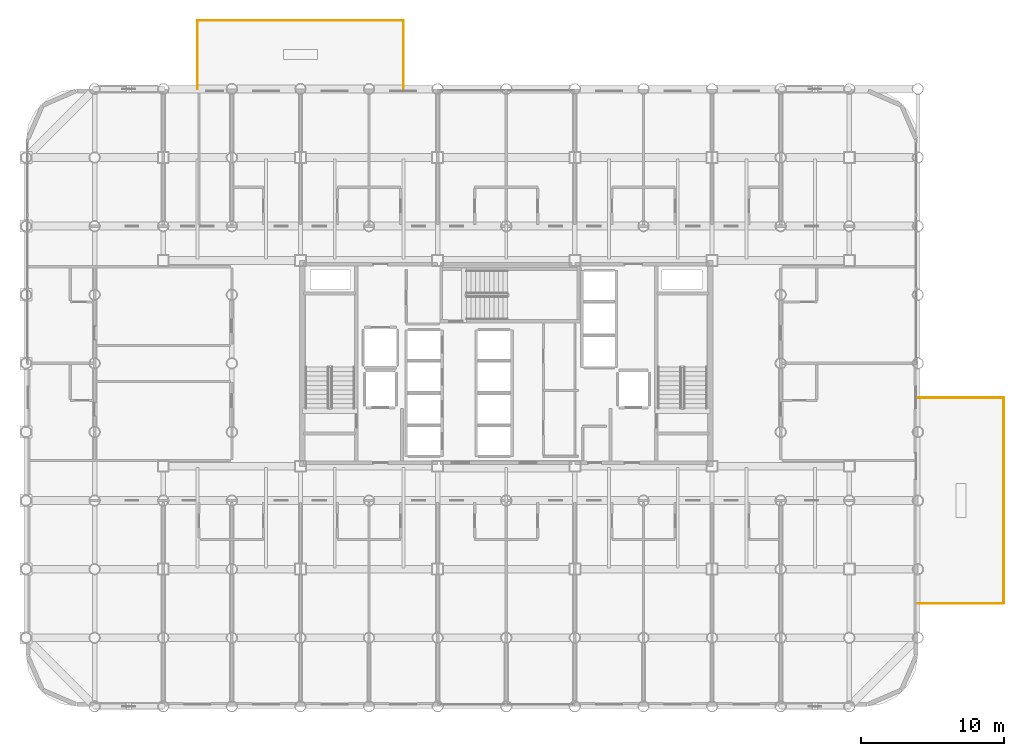
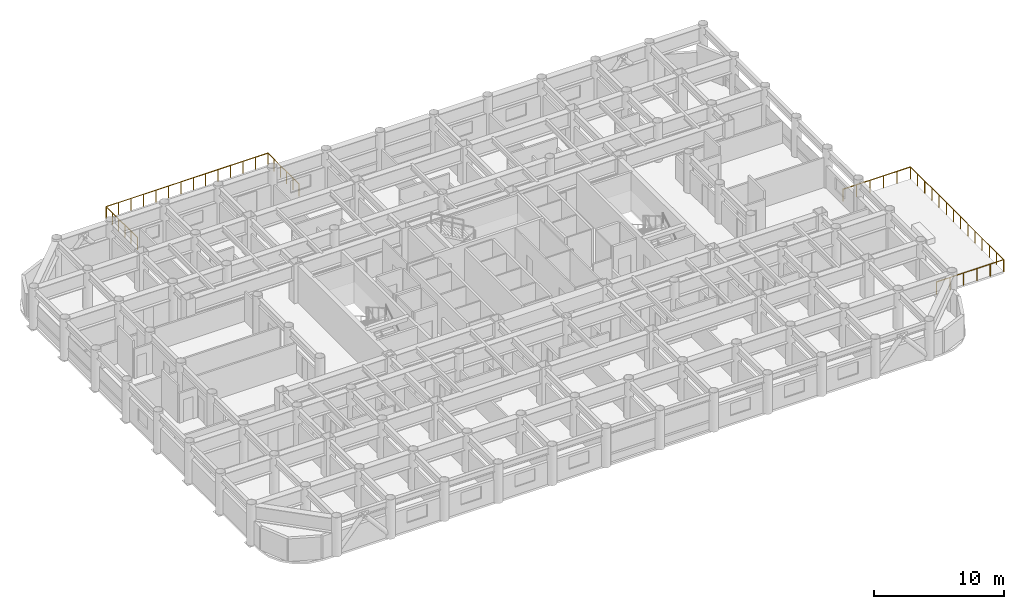
# One storey, part 24 of 24: 6 railings.
"""IFC4 building model written with IfcOpenShell, lengths in metres."""

from ifc_helpers import new_model, si_unit, direction, frame, origin, origin_2d, place, context, subcontext, project, spatial, circle, extrude, material, layer, layer_set, type_object, element, save


model = new_model("IFC4")

# Units and contexts
model_context = context("Model", 3, precision=1e-05, world=origin(), true_north=direction((0.0, 1.0)))
body_context = subcontext(model_context, "Body", "Model", "MODEL_VIEW")
ifc_project = project(units=[si_unit("LENGTHUNIT", "METRE"), si_unit("AREAUNIT", "SQUARE_METRE"), si_unit("VOLUMEUNIT", "CUBIC_METRE"), si_unit("PLANEANGLEUNIT", "RADIAN"), si_unit("MASSUNIT", "GRAM", prefix="KILO")], contexts=[model_context])

# Site, building, storey
site_placement = place(None, origin())
site = spatial("IfcSite", under=ifc_project, at=site_placement, CompositionType="ELEMENT")
building_placement = place(site_placement, origin())
building = spatial("IfcBuilding", under=site, at=building_placement, Name="Kallvorn Hotel Tower", CompositionType="ELEMENT")
storey_placement = place(building_placement, frame((0.0, 0.0, 30.0)))
storey = spatial("IfcBuildingStorey", under=building, at=storey_placement, Name="L05", CompositionType="ELEMENT", Elevation=30.0)

# Railings
ifc_material = material(Name="Galvanised painted steel S275JR balustrade", Category="steel")
ifc_layer = layer(ifc_material, 0.06005859375)
ifc_layer_set = layer_set([ifc_layer], Name="RL_BALUSTRADE_1150")
railing_type = type_object("IfcRailingType", Name="RL_BALUSTRADE_1150", PredefinedType="BALUSTRADE", material=ifc_layer_set)
railing_1_placement = place(storey_placement, frame((28.800048828125, -16.800048828125, 0.0)))
element("IfcRailing", 1, at=railing_1_placement, inside=storey, type_object=railing_type, Name="L05 Exterior Safety Guardrail TER-L05-E-01", PredefinedType="BALUSTRADE", context=body_context, shape_type="SweptSolid", body=[
    extrude(circle(Radius=0.02392578125, at=origin_2d()), frame((0.0, 0.0, 1.1259765625), z_axis=(1.0, 0.0, 0.0), x_axis=(0.0, 1.0, 0.0)), (0.0, 0.0, 1.0), 6.0),
    extrude(circle(Radius=0.02099609375, at=origin_2d()), origin(), (0.0, 0.0, 1.0), 1.101806640625),
    extrude(circle(Radius=0.02099609375, at=origin_2d()), frame((1.199951171875, 0.0, 0.0)), (0.0, 0.0, 1.0), 1.101806640625),
    extrude(circle(Radius=0.02099609375, at=origin_2d()), frame((2.39990234375, 0.0, 0.0)), (0.0, 0.0, 1.0), 1.101806640625),
    extrude(circle(Radius=0.02099609375, at=origin_2d()), frame((3.60009765625, 0.0, 0.0)), (0.0, 0.0, 1.0), 1.101806640625),
    extrude(circle(Radius=0.02099609375, at=origin_2d()), frame((4.800048828125, 0.0, 0.0)), (0.0, 0.0, 1.0), 1.101806640625),
    extrude(circle(Radius=0.02099609375, at=origin_2d()), frame((6.0, 0.0, 0.0)), (0.0, 0.0, 1.0), 1.101806640625),
])
railing_2_placement = place(storey_placement, frame((34.800048828125, -16.800048828125, 0.0)))
element("IfcRailing", 2, at=railing_2_placement, inside=storey, type_object=railing_type, Name="L05 Exterior Safety Guardrail TER-L05-E-02", PredefinedType="BALUSTRADE", context=body_context, shape_type="SweptSolid", body=[
    extrude(circle(Radius=0.02392578125, at=origin_2d()), frame((0.0, 0.0, 1.1259765625), z_axis=(0.0, 1.0, 0.0), x_axis=(-1.0, 0.0, 0.0)), (0.0, 0.0, 1.0), 14.400146484375),
    extrude(circle(Radius=0.02099609375, at=origin_2d()), origin(), (0.0, 0.0, 1.0), 1.101806640625),
    extrude(circle(Radius=0.02099609375, at=origin_2d()), frame((0.0, 1.107666015625, 0.0)), (0.0, 0.0, 1.0), 1.101806640625),
    extrude(circle(Radius=0.02099609375, at=origin_2d()), frame((0.0, 2.21533203125, 0.0)), (0.0, 0.0, 1.0), 1.101806640625),
    extrude(circle(Radius=0.02099609375, at=origin_2d()), frame((0.0, 3.322998046875, 0.0)), (0.0, 0.0, 1.0), 1.101806640625),
    extrude(circle(Radius=0.02099609375, at=origin_2d()), frame((0.0, 4.430908203125, 0.0)), (0.0, 0.0, 1.0), 1.101806640625),
    extrude(circle(Radius=0.02099609375, at=origin_2d()), frame((0.0, 5.53857421875, 0.0)), (0.0, 0.0, 1.0), 1.101806640625),
    extrude(circle(Radius=0.02099609375, at=origin_2d()), frame((0.0, 6.646240234375, 0.0)), (0.0, 0.0, 1.0), 1.101806640625),
    extrude(circle(Radius=0.02099609375, at=origin_2d()), frame((0.0, 7.75390625, 0.0)), (0.0, 0.0, 1.0), 1.101806640625),
    extrude(circle(Radius=0.02099609375, at=origin_2d()), frame((0.0, 8.861572265625, 0.0)), (0.0, 0.0, 1.0), 1.101806640625),
    extrude(circle(Radius=0.02099609375, at=origin_2d()), frame((0.0, 9.96923828125, 0.0)), (0.0, 0.0, 1.0), 1.101806640625),
    extrude(circle(Radius=0.02099609375, at=origin_2d()), frame((0.0, 11.0771484375, 0.0)), (0.0, 0.0, 1.0), 1.101806640625),
    extrude(circle(Radius=0.02099609375, at=origin_2d()), frame((0.0, 12.184814453125, 0.0)), (0.0, 0.0, 1.0), 1.101806640625),
    extrude(circle(Radius=0.02099609375, at=origin_2d()), frame((0.0, 13.29248046875, 0.0)), (0.0, 0.0, 1.0), 1.101806640625),
    extrude(circle(Radius=0.02099609375, at=origin_2d()), frame((0.0, 14.400146484375, 0.0)), (0.0, 0.0, 1.0), 1.101806640625),
])
railing_3_placement = place(storey_placement, frame((34.800048828125, -2.39990234375, 0.0)))
element("IfcRailing", 3, at=railing_3_placement, inside=storey, type_object=railing_type, Name="L05 Exterior Safety Guardrail TER-L05-E-03", PredefinedType="BALUSTRADE", context=body_context, shape_type="SweptSolid", body=[
    extrude(circle(Radius=0.02392578125, at=origin_2d()), frame((0.0, 0.0, 1.1259765625), z_axis=(-1.0, 0.0, 0.0), x_axis=(0.0, -1.0, 0.0)), (0.0, 0.0, 1.0), 6.0),
    extrude(circle(Radius=0.02099609375, at=origin_2d()), origin(), (0.0, 0.0, 1.0), 1.101806640625),
    extrude(circle(Radius=0.02099609375, at=origin_2d()), frame((-1.199951171875, 0.0, 0.0)), (0.0, 0.0, 1.0), 1.101806640625),
    extrude(circle(Radius=0.02099609375, at=origin_2d()), frame((-2.39990234375, 0.0, 0.0)), (0.0, 0.0, 1.0), 1.101806640625),
    extrude(circle(Radius=0.02099609375, at=origin_2d()), frame((-3.60009765625, 0.0, 0.0)), (0.0, 0.0, 1.0), 1.101806640625),
    extrude(circle(Radius=0.02099609375, at=origin_2d()), frame((-4.800048828125, 0.0, 0.0)), (0.0, 0.0, 1.0), 1.101806640625),
    extrude(circle(Radius=0.02099609375, at=origin_2d()), frame((-6.0, 0.0, 0.0)), (0.0, 0.0, 1.0), 1.101806640625),
])
railing_4_placement = place(storey_placement, frame((-21.60009765625, 19.199951171875, 0.0)))
element("IfcRailing", 4, at=railing_4_placement, inside=storey, type_object=railing_type, Name="L05 Exterior Safety Guardrail TER-L05-N-01", PredefinedType="BALUSTRADE", context=body_context, shape_type="SweptSolid", body=[
    extrude(circle(Radius=0.02392578125, at=origin_2d()), frame((0.0, 0.0, 1.1259765625), z_axis=(0.0, 1.0, 0.0), x_axis=(-1.0, 0.0, 0.0)), (0.0, 0.0, 1.0), 4.800048828125),
    extrude(circle(Radius=0.02099609375, at=origin_2d()), origin(), (0.0, 0.0, 1.0), 1.101806640625),
    extrude(circle(Radius=0.02099609375, at=origin_2d()), frame((0.0, 0.9599609375, 0.0)), (0.0, 0.0, 1.0), 1.101806640625),
    extrude(circle(Radius=0.02099609375, at=origin_2d()), frame((0.0, 1.919921875, 0.0)), (0.0, 0.0, 1.0), 1.101806640625),
    extrude(circle(Radius=0.02099609375, at=origin_2d()), frame((0.0, 2.880126953125, 0.0)), (0.0, 0.0, 1.0), 1.101806640625),
    extrude(circle(Radius=0.02099609375, at=origin_2d()), frame((0.0, 3.840087890625, 0.0)), (0.0, 0.0, 1.0), 1.101806640625),
    extrude(circle(Radius=0.02099609375, at=origin_2d()), frame((0.0, 4.800048828125, 0.0)), (0.0, 0.0, 1.0), 1.101806640625),
])
railing_5_placement = place(storey_placement, frame((-21.60009765625, 24.0, 0.0)))
element("IfcRailing", 5, at=railing_5_placement, inside=storey, type_object=railing_type, Name="L05 Exterior Safety Guardrail TER-L05-N-02", PredefinedType="BALUSTRADE", context=body_context, shape_type="SweptSolid", body=[
    extrude(circle(Radius=0.02392578125, at=origin_2d()), frame((0.0, 0.0, 1.1259765625), z_axis=(1.0, 0.0, 0.0), x_axis=(0.0, 1.0, 0.0)), (0.0, 0.0, 1.0), 14.400146484375),
    extrude(circle(Radius=0.02099609375, at=origin_2d()), origin(), (0.0, 0.0, 1.0), 1.101806640625),
    extrude(circle(Radius=0.02099609375, at=origin_2d()), frame((1.107666015625, 0.0, 0.0)), (0.0, 0.0, 1.0), 1.101806640625),
    extrude(circle(Radius=0.02099609375, at=origin_2d()), frame((2.21533203125, 0.0, 0.0)), (0.0, 0.0, 1.0), 1.101806640625),
    extrude(circle(Radius=0.02099609375, at=origin_2d()), frame((3.322998046875, 0.0, 0.0)), (0.0, 0.0, 1.0), 1.101806640625),
    extrude(circle(Radius=0.02099609375, at=origin_2d()), frame((4.430908203125, 0.0, 0.0)), (0.0, 0.0, 1.0), 1.101806640625),
    extrude(circle(Radius=0.02099609375, at=origin_2d()), frame((5.53857421875, 0.0, 0.0)), (0.0, 0.0, 1.0), 1.101806640625),
    extrude(circle(Radius=0.02099609375, at=origin_2d()), frame((6.646240234375, 0.0, 0.0)), (0.0, 0.0, 1.0), 1.101806640625),
    extrude(circle(Radius=0.02099609375, at=origin_2d()), frame((7.75390625, 0.0, 0.0)), (0.0, 0.0, 1.0), 1.101806640625),
    extrude(circle(Radius=0.02099609375, at=origin_2d()), frame((8.861572265625, 0.0, 0.0)), (0.0, 0.0, 1.0), 1.101806640625),
    extrude(circle(Radius=0.02099609375, at=origin_2d()), frame((9.96923828125, 0.0, 0.0)), (0.0, 0.0, 1.0), 1.101806640625),
    extrude(circle(Radius=0.02099609375, at=origin_2d()), frame((11.0771484375, 0.0, 0.0)), (0.0, 0.0, 1.0), 1.101806640625),
    extrude(circle(Radius=0.02099609375, at=origin_2d()), frame((12.184814453125, 0.0, 0.0)), (0.0, 0.0, 1.0), 1.101806640625),
    extrude(circle(Radius=0.02099609375, at=origin_2d()), frame((13.29248046875, 0.0, 0.0)), (0.0, 0.0, 1.0), 1.101806640625),
    extrude(circle(Radius=0.02099609375, at=origin_2d()), frame((14.400146484375, 0.0, 0.0)), (0.0, 0.0, 1.0), 1.101806640625),
])
railing_6_placement = place(storey_placement, frame((-7.199951171875, 24.0, 0.0)))
element("IfcRailing", 6, at=railing_6_placement, inside=storey, type_object=railing_type, Name="L05 Exterior Safety Guardrail TER-L05-N-03", PredefinedType="BALUSTRADE", context=body_context, shape_type="SweptSolid", body=[
    extrude(circle(Radius=0.02392578125, at=origin_2d()), frame((0.0, 0.0, 1.1259765625), z_axis=(0.0, -1.0, 0.0), x_axis=(1.0, 0.0, 0.0)), (0.0, 0.0, 1.0), 4.800048828125),
    extrude(circle(Radius=0.02099609375, at=origin_2d()), origin(), (0.0, 0.0, 1.0), 1.101806640625),
    extrude(circle(Radius=0.02099609375, at=origin_2d()), frame((0.0, -0.9599609375, 0.0)), (0.0, 0.0, 1.0), 1.101806640625),
    extrude(circle(Radius=0.02099609375, at=origin_2d()), frame((0.0, -1.919921875, 0.0)), (0.0, 0.0, 1.0), 1.101806640625),
    extrude(circle(Radius=0.02099609375, at=origin_2d()), frame((0.0, -2.880126953125, 0.0)), (0.0, 0.0, 1.0), 1.101806640625),
    extrude(circle(Radius=0.02099609375, at=origin_2d()), frame((0.0, -3.840087890625, 0.0)), (0.0, 0.0, 1.0), 1.101806640625),
    extrude(circle(Radius=0.02099609375, at=origin_2d()), frame((0.0, -4.800048828125, 0.0)), (0.0, 0.0, 1.0), 1.101806640625),
])

save(model, "model.ifc")
